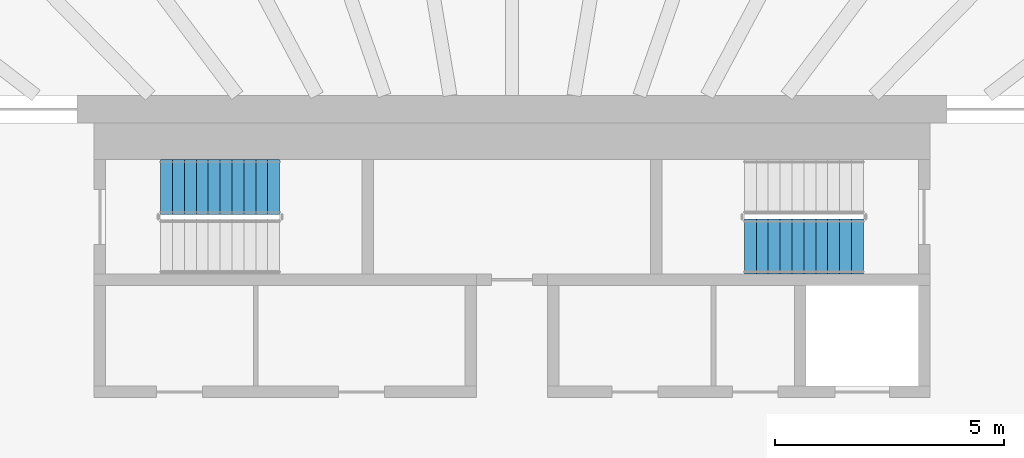
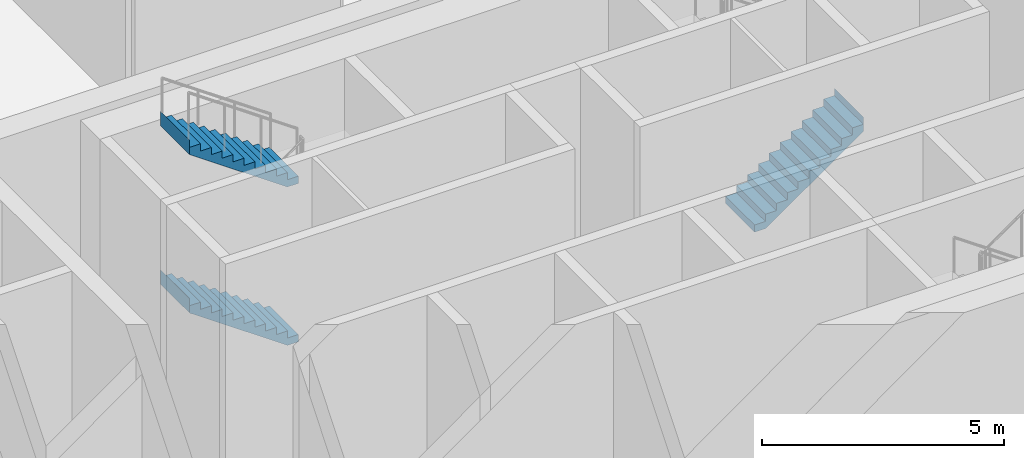
# One storey, part 27 of 36: 3 stair flights, 2 elements without a shape of their own.
"""IFC4 building model written with IfcOpenShell, lengths in metres."""

from ifc_helpers import new_model, si_unit, direction, frame, origin, place, context, subcontext, project, spatial, triangles, material, type_object, element, aggregate, save


model = new_model("IFC4")

# Units and contexts
model_context = context("Model", 3, precision=1e-05, world=origin(), true_north=direction((0.0, 1.0)))
body_context = subcontext(model_context, "Body", "Model", "MODEL_VIEW")
ifc_project = project(units=[si_unit("LENGTHUNIT", "METRE"), si_unit("AREAUNIT", "SQUARE_METRE"), si_unit("VOLUMEUNIT", "CUBIC_METRE"), si_unit("PLANEANGLEUNIT", "RADIAN"), si_unit("MASSUNIT", "GRAM", prefix="KILO")], contexts=[model_context])

# Site, building, storey
site_placement = place(None, origin())
site = spatial("IfcSite", under=ifc_project, at=site_placement, CompositionType="ELEMENT")
building_placement = place(site_placement, origin())
building = spatial("IfcBuilding", under=site, at=building_placement, Name="Sahrelin Media Tower", CompositionType="ELEMENT")
storey_placement = place(building_placement, origin())
storey = spatial("IfcBuildingStorey", under=building, at=storey_placement, Name="L00", CompositionType="ELEMENT", Elevation=0.0)

# Stair, stair flights
ifc_material = material(Name="Concrete C40/50", Category="concrete")
stair_type = type_object("IfcStairType", Name="Exit stair 1200", PredefinedType="HALF_TURN_STAIR", material=ifc_material)
placement = place(storey_placement, origin())
stair_1 = element("IfcStair", 1, at=placement, inside=storey, type_object=stair_type, Name="L00 Exit stair ST1", PredefinedType="HALF_TURN_STAIR")
stair_flight_type = type_object("IfcStairFlightType", Name="Stair flight 1200", PredefinedType="STRAIGHT", material=ifc_material)
stair_flight_1_placement = place(storey_placement, frame((-5.074951171875, 6.0, 2.0), z_axis=(0.0, 0.0, 1.0), x_axis=(-1.0, 0.0, 0.0)))
stair_flight_1 = element("IfcStairFlight", 2, at=stair_flight_1_placement, type_object=stair_flight_type, Name="ST1 flight 2", NumberOfRisers=11, NumberOfTreads=10, PredefinedType="STRAIGHT", RiserHeight=0.181818182, TreadLength=0.26, context=body_context, shape_type="Tessellation", body=[
    triangles([(0.261474609375, 0.60009765625, 0.0), (0.261474609375, 0.300048828125, 0.0), (0.261474609375, 0.0, 0.0), (0.261474609375, -0.300048828125, 0.0), (0.261474609375, -0.60009765625, 0.0), (2.60009765625, 0.60009765625, 1.63525390625), (2.60009765625, 0.300048828125, 1.63525390625), (2.60009765625, 0.0, 1.63525390625), (2.60009765625, -0.300048828125, 1.63525390625), (2.60009765625, -0.60009765625, 1.63525390625), (2.60009765625, 0.60009765625, 2.0), (2.60009765625, 0.300048828125, 2.0), (2.60009765625, 0.0, 2.0), (2.60009765625, -0.300048828125, 2.0), (2.60009765625, -0.60009765625, 2.0), (2.597900390625, 0.60009765625, 2.0), (2.597900390625, 0.300048828125, 2.0), (2.597900390625, 0.0, 2.0), (2.597900390625, -0.300048828125, 2.0), (2.597900390625, -0.60009765625, 2.0), (2.597900390625, 0.60009765625, 1.818115234375), (2.597900390625, 0.300048828125, 1.818115234375), (2.597900390625, 0.0, 1.818115234375), (2.597900390625, -0.300048828125, 1.818115234375), (2.597900390625, -0.60009765625, 1.818115234375), (2.340087890625, 0.60009765625, 1.818115234375), (2.340087890625, 0.300048828125, 1.818115234375), (2.340087890625, 0.0, 1.818115234375), (2.340087890625, -0.300048828125, 1.818115234375), (2.340087890625, -0.60009765625, 1.818115234375), (2.340087890625, 0.60009765625, 1.636474609375), (2.340087890625, 0.300048828125, 1.636474609375), (2.340087890625, 0.0, 1.636474609375), (2.340087890625, -0.300048828125, 1.636474609375), (2.340087890625, -0.60009765625, 1.636474609375), (2.080078125, 0.60009765625, 1.636474609375), (2.080078125, 0.300048828125, 1.636474609375), (2.080078125, 0.0, 1.636474609375), (2.080078125, -0.300048828125, 1.636474609375), (2.080078125, -0.60009765625, 1.636474609375), (2.080078125, 0.60009765625, 1.45458984375), (2.080078125, 0.300048828125, 1.45458984375), (2.080078125, 0.0, 1.45458984375), (2.080078125, -0.300048828125, 1.45458984375), (2.080078125, -0.60009765625, 1.45458984375), (1.820068359375, 0.60009765625, 1.45458984375), (1.820068359375, 0.300048828125, 1.45458984375), (1.820068359375, 0.0, 1.45458984375), (1.820068359375, -0.300048828125, 1.45458984375), (1.820068359375, -0.60009765625, 1.45458984375), (1.820068359375, 0.60009765625, 1.272705078125), (1.820068359375, 0.300048828125, 1.272705078125), (1.820068359375, 0.0, 1.272705078125), (1.820068359375, -0.300048828125, 1.272705078125), (1.820068359375, -0.60009765625, 1.272705078125), (1.56005859375, 0.60009765625, 1.272705078125), (1.56005859375, 0.300048828125, 1.272705078125), (1.56005859375, 0.0, 1.272705078125), (1.56005859375, -0.300048828125, 1.272705078125), (1.56005859375, -0.60009765625, 1.272705078125), (1.56005859375, 0.60009765625, 1.0908203125), (1.56005859375, 0.300048828125, 1.0908203125), (1.56005859375, 0.0, 1.0908203125), (1.56005859375, -0.300048828125, 1.0908203125), (1.56005859375, -0.60009765625, 1.0908203125), (1.300048828125, 0.60009765625, 1.0908203125), (1.300048828125, 0.300048828125, 1.0908203125), (1.300048828125, 0.0, 1.0908203125), (1.300048828125, -0.300048828125, 1.0908203125), (1.300048828125, -0.60009765625, 1.0908203125), (1.300048828125, 0.60009765625, 0.9091796875), (1.300048828125, 0.300048828125, 0.9091796875), (1.300048828125, 0.0, 0.9091796875), (1.300048828125, -0.300048828125, 0.9091796875), (1.300048828125, -0.60009765625, 0.9091796875), (1.0400390625, 0.60009765625, 0.9091796875), (1.0400390625, 0.300048828125, 0.9091796875), (1.0400390625, 0.0, 0.9091796875), (1.0400390625, -0.300048828125, 0.9091796875), (1.0400390625, -0.60009765625, 0.9091796875), (1.0400390625, 0.60009765625, 0.727294921875), (1.0400390625, 0.300048828125, 0.727294921875), (1.0400390625, 0.0, 0.727294921875), (1.0400390625, -0.300048828125, 0.727294921875), (1.0400390625, -0.60009765625, 0.727294921875), (0.780029296875, 0.60009765625, 0.727294921875), (0.780029296875, 0.300048828125, 0.727294921875), (0.780029296875, 0.0, 0.727294921875), (0.780029296875, -0.300048828125, 0.727294921875), (0.780029296875, -0.60009765625, 0.727294921875), (0.780029296875, 0.60009765625, 0.54541015625), (0.780029296875, 0.300048828125, 0.54541015625), (0.780029296875, 0.0, 0.54541015625), (0.780029296875, -0.300048828125, 0.54541015625), (0.780029296875, -0.60009765625, 0.54541015625), (0.52001953125, 0.60009765625, 0.54541015625), (0.52001953125, 0.300048828125, 0.54541015625), (0.52001953125, 0.0, 0.54541015625), (0.52001953125, -0.300048828125, 0.54541015625), (0.52001953125, -0.60009765625, 0.54541015625), (0.52001953125, 0.60009765625, 0.363525390625), (0.52001953125, 0.300048828125, 0.363525390625), (0.52001953125, 0.0, 0.363525390625), (0.52001953125, -0.300048828125, 0.363525390625), (0.52001953125, -0.60009765625, 0.363525390625), (0.260009765625, 0.60009765625, 0.363525390625), (0.260009765625, 0.300048828125, 0.363525390625), (0.260009765625, 0.0, 0.363525390625), (0.260009765625, -0.300048828125, 0.363525390625), (0.260009765625, -0.60009765625, 0.363525390625), (0.260009765625, 0.60009765625, 0.181884765625), (0.260009765625, 0.300048828125, 0.181884765625), (0.260009765625, 0.0, 0.181884765625), (0.260009765625, -0.300048828125, 0.181884765625), (0.260009765625, -0.60009765625, 0.181884765625), (0.0, 0.60009765625, 0.181884765625), (0.0, 0.300048828125, 0.181884765625), (0.0, 0.0, 0.181884765625), (0.0, -0.300048828125, 0.181884765625), (0.0, -0.60009765625, 0.181884765625), (0.0, 0.60009765625, 0.0), (0.0, 0.300048828125, 0.0), (0.0, 0.0, 0.0), (0.0, -0.300048828125, 0.0), (0.0, -0.60009765625, 0.0)], [[1, 6, 7], [1, 7, 2], [2, 7, 8], [2, 8, 3], [3, 8, 9], [3, 9, 4], [4, 9, 10], [4, 10, 5], [6, 11, 12], [6, 12, 7], [7, 12, 13], [7, 13, 8], [8, 13, 14], [8, 14, 9], [9, 14, 15], [9, 15, 10], [11, 16, 17], [11, 17, 12], [12, 17, 18], [12, 18, 13], [13, 18, 19], [13, 19, 14], [14, 19, 20], [14, 20, 15], [16, 21, 22], [16, 22, 17], [17, 22, 23], [17, 23, 18], [18, 23, 24], [18, 24, 19], [19, 24, 25], [19, 25, 20], [21, 26, 27], [21, 27, 22], [22, 27, 28], [22, 28, 23], [23, 28, 29], [23, 29, 24], [24, 29, 30], [24, 30, 25], [26, 31, 32], [26, 32, 27], [27, 32, 33], [27, 33, 28], [28, 33, 34], [28, 34, 29], [29, 34, 35], [29, 35, 30], [31, 36, 37], [31, 37, 32], [32, 37, 38], [32, 38, 33], [33, 38, 39], [33, 39, 34], [34, 39, 40], [34, 40, 35], [36, 41, 42], [36, 42, 37], [37, 42, 43], [37, 43, 38], [38, 43, 44], [38, 44, 39], [39, 44, 45], [39, 45, 40], [41, 46, 47], [41, 47, 42], [42, 47, 48], [42, 48, 43], [43, 48, 49], [43, 49, 44], [44, 49, 50], [44, 50, 45], [46, 51, 52], [46, 52, 47], [47, 52, 53], [47, 53, 48], [48, 53, 54], [48, 54, 49], [49, 54, 55], [49, 55, 50], [51, 56, 57], [51, 57, 52], [52, 57, 58], [52, 58, 53], [53, 58, 59], [53, 59, 54], [54, 59, 60], [54, 60, 55], [56, 61, 62], [56, 62, 57], [57, 62, 63], [57, 63, 58], [58, 63, 64], [58, 64, 59], [59, 64, 65], [59, 65, 60], [61, 66, 67], [61, 67, 62], [62, 67, 68], [62, 68, 63], [63, 68, 69], [63, 69, 64], [64, 69, 70], [64, 70, 65], [66, 71, 72], [66, 72, 67], [67, 72, 73], [67, 73, 68], [68, 73, 74], [68, 74, 69], [69, 74, 75], [69, 75, 70], [71, 76, 77], [71, 77, 72], [72, 77, 78], [72, 78, 73], [73, 78, 79], [73, 79, 74], [74, 79, 80], [74, 80, 75], [76, 81, 82], [76, 82, 77], [77, 82, 83], [77, 83, 78], [78, 83, 84], [78, 84, 79], [79, 84, 85], [79, 85, 80], [81, 86, 87], [81, 87, 82], [82, 87, 88], [82, 88, 83], [83, 88, 89], [83, 89, 84], [84, 89, 90], [84, 90, 85], [86, 91, 92], [86, 92, 87], [87, 92, 93], [87, 93, 88], [88, 93, 94], [88, 94, 89], [89, 94, 95], [89, 95, 90], [91, 96, 97], [91, 97, 92], [92, 97, 98], [92, 98, 93], [93, 98, 99], [93, 99, 94], [94, 99, 100], [94, 100, 95], [96, 101, 102], [96, 102, 97], [97, 102, 103], [97, 103, 98], [98, 103, 104], [98, 104, 99], [99, 104, 105], [99, 105, 100], [101, 106, 107], [101, 107, 102], [102, 107, 108], [102, 108, 103], [103, 108, 109], [103, 109, 104], [104, 109, 110], [104, 110, 105], [106, 111, 112], [106, 112, 107], [107, 112, 113], [107, 113, 108], [108, 113, 114], [108, 114, 109], [109, 114, 115], [109, 115, 110], [111, 116, 117], [111, 117, 112], [112, 117, 118], [112, 118, 113], [113, 118, 119], [113, 119, 114], [114, 119, 120], [114, 120, 115], [116, 121, 122], [116, 122, 117], [117, 122, 123], [117, 123, 118], [118, 123, 124], [118, 124, 119], [119, 124, 125], [119, 125, 120], [121, 1, 2], [121, 2, 122], [122, 2, 3], [122, 3, 123], [123, 3, 4], [123, 4, 124], [124, 4, 5], [124, 5, 125], [115, 120, 125], [111, 121, 116], [115, 105, 110], [111, 106, 101], [105, 95, 100], [101, 96, 91], [95, 85, 90], [91, 86, 81], [85, 75, 80], [81, 76, 71], [75, 65, 70], [71, 66, 61], [65, 55, 60], [61, 56, 51], [55, 45, 50], [51, 46, 41], [45, 35, 40], [41, 36, 31], [35, 25, 30], [31, 26, 21], [25, 15, 20], [21, 16, 11], [125, 5, 115], [121, 111, 1], [25, 10, 15], [21, 11, 6], [105, 115, 5], [101, 1, 111], [35, 10, 25], [31, 21, 6], [95, 105, 5], [91, 1, 101], [45, 10, 35], [41, 31, 6], [85, 95, 5], [81, 1, 91], [55, 10, 45], [51, 41, 6], [75, 85, 5], [71, 1, 81], [65, 10, 55], [61, 51, 6], [5, 10, 75], [1, 71, 6], [75, 10, 65], [71, 61, 6]], closed=True),
])
stair_flight_2_placement = place(storey_placement, frame((-5.074951171875, 6.0, 6.0), z_axis=(0.0, 0.0, 1.0), x_axis=(-1.0, 0.0, 0.0)))
stair_flight_2 = element("IfcStairFlight", 3, at=stair_flight_2_placement, type_object=stair_flight_type, Name="ST1 flight 4", NumberOfRisers=11, NumberOfTreads=10, PredefinedType="STRAIGHT", RiserHeight=0.181818182, TreadLength=0.26, context=body_context, shape_type="Tessellation", body=[
    triangles([(0.261474609375, 0.60009765625, 0.0), (0.261474609375, 0.300048828125, 0.0), (0.261474609375, 0.0, 0.0), (0.261474609375, -0.300048828125, 0.0), (0.261474609375, -0.60009765625, 0.0), (2.60009765625, 0.60009765625, 1.63525390625), (2.60009765625, 0.300048828125, 1.63525390625), (2.60009765625, 0.0, 1.63525390625), (2.60009765625, -0.300048828125, 1.63525390625), (2.60009765625, -0.60009765625, 1.63525390625), (2.60009765625, 0.60009765625, 2.0), (2.60009765625, 0.300048828125, 2.0), (2.60009765625, 0.0, 2.0), (2.60009765625, -0.300048828125, 2.0), (2.60009765625, -0.60009765625, 2.0), (2.597900390625, 0.60009765625, 2.0), (2.597900390625, 0.300048828125, 2.0), (2.597900390625, 0.0, 2.0), (2.597900390625, -0.300048828125, 2.0), (2.597900390625, -0.60009765625, 2.0), (2.597900390625, 0.60009765625, 1.818115234375), (2.597900390625, 0.300048828125, 1.818115234375), (2.597900390625, 0.0, 1.818115234375), (2.597900390625, -0.300048828125, 1.818115234375), (2.597900390625, -0.60009765625, 1.818115234375), (2.340087890625, 0.60009765625, 1.818115234375), (2.340087890625, 0.300048828125, 1.818115234375), (2.340087890625, 0.0, 1.818115234375), (2.340087890625, -0.300048828125, 1.818115234375), (2.340087890625, -0.60009765625, 1.818115234375), (2.340087890625, 0.60009765625, 1.636474609375), (2.340087890625, 0.300048828125, 1.636474609375), (2.340087890625, 0.0, 1.636474609375), (2.340087890625, -0.300048828125, 1.636474609375), (2.340087890625, -0.60009765625, 1.636474609375), (2.080078125, 0.60009765625, 1.636474609375), (2.080078125, 0.300048828125, 1.636474609375), (2.080078125, 0.0, 1.636474609375), (2.080078125, -0.300048828125, 1.636474609375), (2.080078125, -0.60009765625, 1.636474609375), (2.080078125, 0.60009765625, 1.45458984375), (2.080078125, 0.300048828125, 1.45458984375), (2.080078125, 0.0, 1.45458984375), (2.080078125, -0.300048828125, 1.45458984375), (2.080078125, -0.60009765625, 1.45458984375), (1.820068359375, 0.60009765625, 1.45458984375), (1.820068359375, 0.300048828125, 1.45458984375), (1.820068359375, 0.0, 1.45458984375), (1.820068359375, -0.300048828125, 1.45458984375), (1.820068359375, -0.60009765625, 1.45458984375), (1.820068359375, 0.60009765625, 1.272705078125), (1.820068359375, 0.300048828125, 1.272705078125), (1.820068359375, 0.0, 1.272705078125), (1.820068359375, -0.300048828125, 1.272705078125), (1.820068359375, -0.60009765625, 1.272705078125), (1.56005859375, 0.60009765625, 1.272705078125), (1.56005859375, 0.300048828125, 1.272705078125), (1.56005859375, 0.0, 1.272705078125), (1.56005859375, -0.300048828125, 1.272705078125), (1.56005859375, -0.60009765625, 1.272705078125), (1.56005859375, 0.60009765625, 1.0908203125), (1.56005859375, 0.300048828125, 1.0908203125), (1.56005859375, 0.0, 1.0908203125), (1.56005859375, -0.300048828125, 1.0908203125), (1.56005859375, -0.60009765625, 1.0908203125), (1.300048828125, 0.60009765625, 1.0908203125), (1.300048828125, 0.300048828125, 1.0908203125), (1.300048828125, 0.0, 1.0908203125), (1.300048828125, -0.300048828125, 1.0908203125), (1.300048828125, -0.60009765625, 1.0908203125), (1.300048828125, 0.60009765625, 0.9091796875), (1.300048828125, 0.300048828125, 0.9091796875), (1.300048828125, 0.0, 0.9091796875), (1.300048828125, -0.300048828125, 0.9091796875), (1.300048828125, -0.60009765625, 0.9091796875), (1.0400390625, 0.60009765625, 0.9091796875), (1.0400390625, 0.300048828125, 0.9091796875), (1.0400390625, 0.0, 0.9091796875), (1.0400390625, -0.300048828125, 0.9091796875), (1.0400390625, -0.60009765625, 0.9091796875), (1.0400390625, 0.60009765625, 0.727294921875), (1.0400390625, 0.300048828125, 0.727294921875), (1.0400390625, 0.0, 0.727294921875), (1.0400390625, -0.300048828125, 0.727294921875), (1.0400390625, -0.60009765625, 0.727294921875), (0.780029296875, 0.60009765625, 0.727294921875), (0.780029296875, 0.300048828125, 0.727294921875), (0.780029296875, 0.0, 0.727294921875), (0.780029296875, -0.300048828125, 0.727294921875), (0.780029296875, -0.60009765625, 0.727294921875), (0.780029296875, 0.60009765625, 0.54541015625), (0.780029296875, 0.300048828125, 0.54541015625), (0.780029296875, 0.0, 0.54541015625), (0.780029296875, -0.300048828125, 0.54541015625), (0.780029296875, -0.60009765625, 0.54541015625), (0.52001953125, 0.60009765625, 0.54541015625), (0.52001953125, 0.300048828125, 0.54541015625), (0.52001953125, 0.0, 0.54541015625), (0.52001953125, -0.300048828125, 0.54541015625), (0.52001953125, -0.60009765625, 0.54541015625), (0.52001953125, 0.60009765625, 0.363525390625), (0.52001953125, 0.300048828125, 0.363525390625), (0.52001953125, 0.0, 0.363525390625), (0.52001953125, -0.300048828125, 0.363525390625), (0.52001953125, -0.60009765625, 0.363525390625), (0.260009765625, 0.60009765625, 0.363525390625), (0.260009765625, 0.300048828125, 0.363525390625), (0.260009765625, 0.0, 0.363525390625), (0.260009765625, -0.300048828125, 0.363525390625), (0.260009765625, -0.60009765625, 0.363525390625), (0.260009765625, 0.60009765625, 0.181884765625), (0.260009765625, 0.300048828125, 0.181884765625), (0.260009765625, 0.0, 0.181884765625), (0.260009765625, -0.300048828125, 0.181884765625), (0.260009765625, -0.60009765625, 0.181884765625), (0.0, 0.60009765625, 0.181884765625), (0.0, 0.300048828125, 0.181884765625), (0.0, 0.0, 0.181884765625), (0.0, -0.300048828125, 0.181884765625), (0.0, -0.60009765625, 0.181884765625), (0.0, 0.60009765625, 0.0), (0.0, 0.300048828125, 0.0), (0.0, 0.0, 0.0), (0.0, -0.300048828125, 0.0), (0.0, -0.60009765625, 0.0)], [[1, 6, 7], [1, 7, 2], [2, 7, 8], [2, 8, 3], [3, 8, 9], [3, 9, 4], [4, 9, 10], [4, 10, 5], [6, 11, 12], [6, 12, 7], [7, 12, 13], [7, 13, 8], [8, 13, 14], [8, 14, 9], [9, 14, 15], [9, 15, 10], [11, 16, 17], [11, 17, 12], [12, 17, 18], [12, 18, 13], [13, 18, 19], [13, 19, 14], [14, 19, 20], [14, 20, 15], [16, 21, 22], [16, 22, 17], [17, 22, 23], [17, 23, 18], [18, 23, 24], [18, 24, 19], [19, 24, 25], [19, 25, 20], [21, 26, 27], [21, 27, 22], [22, 27, 28], [22, 28, 23], [23, 28, 29], [23, 29, 24], [24, 29, 30], [24, 30, 25], [26, 31, 32], [26, 32, 27], [27, 32, 33], [27, 33, 28], [28, 33, 34], [28, 34, 29], [29, 34, 35], [29, 35, 30], [31, 36, 37], [31, 37, 32], [32, 37, 38], [32, 38, 33], [33, 38, 39], [33, 39, 34], [34, 39, 40], [34, 40, 35], [36, 41, 42], [36, 42, 37], [37, 42, 43], [37, 43, 38], [38, 43, 44], [38, 44, 39], [39, 44, 45], [39, 45, 40], [41, 46, 47], [41, 47, 42], [42, 47, 48], [42, 48, 43], [43, 48, 49], [43, 49, 44], [44, 49, 50], [44, 50, 45], [46, 51, 52], [46, 52, 47], [47, 52, 53], [47, 53, 48], [48, 53, 54], [48, 54, 49], [49, 54, 55], [49, 55, 50], [51, 56, 57], [51, 57, 52], [52, 57, 58], [52, 58, 53], [53, 58, 59], [53, 59, 54], [54, 59, 60], [54, 60, 55], [56, 61, 62], [56, 62, 57], [57, 62, 63], [57, 63, 58], [58, 63, 64], [58, 64, 59], [59, 64, 65], [59, 65, 60], [61, 66, 67], [61, 67, 62], [62, 67, 68], [62, 68, 63], [63, 68, 69], [63, 69, 64], [64, 69, 70], [64, 70, 65], [66, 71, 72], [66, 72, 67], [67, 72, 73], [67, 73, 68], [68, 73, 74], [68, 74, 69], [69, 74, 75], [69, 75, 70], [71, 76, 77], [71, 77, 72], [72, 77, 78], [72, 78, 73], [73, 78, 79], [73, 79, 74], [74, 79, 80], [74, 80, 75], [76, 81, 82], [76, 82, 77], [77, 82, 83], [77, 83, 78], [78, 83, 84], [78, 84, 79], [79, 84, 85], [79, 85, 80], [81, 86, 87], [81, 87, 82], [82, 87, 88], [82, 88, 83], [83, 88, 89], [83, 89, 84], [84, 89, 90], [84, 90, 85], [86, 91, 92], [86, 92, 87], [87, 92, 93], [87, 93, 88], [88, 93, 94], [88, 94, 89], [89, 94, 95], [89, 95, 90], [91, 96, 97], [91, 97, 92], [92, 97, 98], [92, 98, 93], [93, 98, 99], [93, 99, 94], [94, 99, 100], [94, 100, 95], [96, 101, 102], [96, 102, 97], [97, 102, 103], [97, 103, 98], [98, 103, 104], [98, 104, 99], [99, 104, 105], [99, 105, 100], [101, 106, 107], [101, 107, 102], [102, 107, 108], [102, 108, 103], [103, 108, 109], [103, 109, 104], [104, 109, 110], [104, 110, 105], [106, 111, 112], [106, 112, 107], [107, 112, 113], [107, 113, 108], [108, 113, 114], [108, 114, 109], [109, 114, 115], [109, 115, 110], [111, 116, 117], [111, 117, 112], [112, 117, 118], [112, 118, 113], [113, 118, 119], [113, 119, 114], [114, 119, 120], [114, 120, 115], [116, 121, 122], [116, 122, 117], [117, 122, 123], [117, 123, 118], [118, 123, 124], [118, 124, 119], [119, 124, 125], [119, 125, 120], [121, 1, 2], [121, 2, 122], [122, 2, 3], [122, 3, 123], [123, 3, 4], [123, 4, 124], [124, 4, 5], [124, 5, 125], [115, 120, 125], [111, 121, 116], [115, 105, 110], [111, 106, 101], [105, 95, 100], [101, 96, 91], [95, 85, 90], [91, 86, 81], [85, 75, 80], [81, 76, 71], [75, 65, 70], [71, 66, 61], [65, 55, 60], [61, 56, 51], [55, 45, 50], [51, 46, 41], [45, 35, 40], [41, 36, 31], [35, 25, 30], [31, 26, 21], [25, 15, 20], [21, 16, 11], [125, 5, 115], [121, 111, 1], [25, 10, 15], [21, 11, 6], [105, 115, 5], [101, 1, 111], [35, 10, 25], [31, 21, 6], [95, 105, 5], [91, 1, 101], [45, 10, 35], [41, 31, 6], [85, 95, 5], [81, 1, 91], [55, 10, 45], [51, 41, 6], [75, 85, 5], [71, 1, 81], [65, 10, 55], [61, 51, 6], [5, 10, 75], [1, 71, 6], [75, 10, 65], [71, 61, 6]], closed=True),
])
aggregate(stair_1, [stair_flight_1, stair_flight_2])

# Stair, stair flight
stair_2 = element("IfcStair", 4, at=placement, inside=storey, type_object=stair_type, Name="L00 Exit stair ST3", PredefinedType="HALF_TURN_STAIR")
stair_flight_3_placement = place(storey_placement, frame((5.074951171875, 4.699951171875, 2.0), z_axis=(0.0, 0.0, 1.0), x_axis=(1.0, 0.0, 0.0)))
stair_flight_3 = element("IfcStairFlight", 5, at=stair_flight_3_placement, type_object=stair_flight_type, Name="ST3 flight 2", NumberOfRisers=11, NumberOfTreads=10, PredefinedType="STRAIGHT", RiserHeight=0.181818182, TreadLength=0.26, context=body_context, shape_type="Tessellation", body=[
    triangles([(0.261474609375, 0.60009765625, 0.0), (0.261474609375, 0.300048828125, 0.0), (0.261474609375, 0.0, 0.0), (0.261474609375, -0.300048828125, 0.0), (0.261474609375, -0.60009765625, 0.0), (2.60009765625, 0.60009765625, 1.63525390625), (2.60009765625, 0.300048828125, 1.63525390625), (2.60009765625, 0.0, 1.63525390625), (2.60009765625, -0.300048828125, 1.63525390625), (2.60009765625, -0.60009765625, 1.63525390625), (2.60009765625, 0.60009765625, 2.0), (2.60009765625, 0.300048828125, 2.0), (2.60009765625, 0.0, 2.0), (2.60009765625, -0.300048828125, 2.0), (2.60009765625, -0.60009765625, 2.0), (2.597900390625, 0.60009765625, 2.0), (2.597900390625, 0.300048828125, 2.0), (2.597900390625, 0.0, 2.0), (2.597900390625, -0.300048828125, 2.0), (2.597900390625, -0.60009765625, 2.0), (2.597900390625, 0.60009765625, 1.818115234375), (2.597900390625, 0.300048828125, 1.818115234375), (2.597900390625, 0.0, 1.818115234375), (2.597900390625, -0.300048828125, 1.818115234375), (2.597900390625, -0.60009765625, 1.818115234375), (2.340087890625, 0.60009765625, 1.818115234375), (2.340087890625, 0.300048828125, 1.818115234375), (2.340087890625, 0.0, 1.818115234375), (2.340087890625, -0.300048828125, 1.818115234375), (2.340087890625, -0.60009765625, 1.818115234375), (2.340087890625, 0.60009765625, 1.636474609375), (2.340087890625, 0.300048828125, 1.636474609375), (2.340087890625, 0.0, 1.636474609375), (2.340087890625, -0.300048828125, 1.636474609375), (2.340087890625, -0.60009765625, 1.636474609375), (2.080078125, 0.60009765625, 1.636474609375), (2.080078125, 0.300048828125, 1.636474609375), (2.080078125, 0.0, 1.636474609375), (2.080078125, -0.300048828125, 1.636474609375), (2.080078125, -0.60009765625, 1.636474609375), (2.080078125, 0.60009765625, 1.45458984375), (2.080078125, 0.300048828125, 1.45458984375), (2.080078125, 0.0, 1.45458984375), (2.080078125, -0.300048828125, 1.45458984375), (2.080078125, -0.60009765625, 1.45458984375), (1.820068359375, 0.60009765625, 1.45458984375), (1.820068359375, 0.300048828125, 1.45458984375), (1.820068359375, 0.0, 1.45458984375), (1.820068359375, -0.300048828125, 1.45458984375), (1.820068359375, -0.60009765625, 1.45458984375), (1.820068359375, 0.60009765625, 1.272705078125), (1.820068359375, 0.300048828125, 1.272705078125), (1.820068359375, 0.0, 1.272705078125), (1.820068359375, -0.300048828125, 1.272705078125), (1.820068359375, -0.60009765625, 1.272705078125), (1.56005859375, 0.60009765625, 1.272705078125), (1.56005859375, 0.300048828125, 1.272705078125), (1.56005859375, 0.0, 1.272705078125), (1.56005859375, -0.300048828125, 1.272705078125), (1.56005859375, -0.60009765625, 1.272705078125), (1.56005859375, 0.60009765625, 1.0908203125), (1.56005859375, 0.300048828125, 1.0908203125), (1.56005859375, 0.0, 1.0908203125), (1.56005859375, -0.300048828125, 1.0908203125), (1.56005859375, -0.60009765625, 1.0908203125), (1.300048828125, 0.60009765625, 1.0908203125), (1.300048828125, 0.300048828125, 1.0908203125), (1.300048828125, 0.0, 1.0908203125), (1.300048828125, -0.300048828125, 1.0908203125), (1.300048828125, -0.60009765625, 1.0908203125), (1.300048828125, 0.60009765625, 0.9091796875), (1.300048828125, 0.300048828125, 0.9091796875), (1.300048828125, 0.0, 0.9091796875), (1.300048828125, -0.300048828125, 0.9091796875), (1.300048828125, -0.60009765625, 0.9091796875), (1.0400390625, 0.60009765625, 0.9091796875), (1.0400390625, 0.300048828125, 0.9091796875), (1.0400390625, 0.0, 0.9091796875), (1.0400390625, -0.300048828125, 0.9091796875), (1.0400390625, -0.60009765625, 0.9091796875), (1.0400390625, 0.60009765625, 0.727294921875), (1.0400390625, 0.300048828125, 0.727294921875), (1.0400390625, 0.0, 0.727294921875), (1.0400390625, -0.300048828125, 0.727294921875), (1.0400390625, -0.60009765625, 0.727294921875), (0.780029296875, 0.60009765625, 0.727294921875), (0.780029296875, 0.300048828125, 0.727294921875), (0.780029296875, 0.0, 0.727294921875), (0.780029296875, -0.300048828125, 0.727294921875), (0.780029296875, -0.60009765625, 0.727294921875), (0.780029296875, 0.60009765625, 0.54541015625), (0.780029296875, 0.300048828125, 0.54541015625), (0.780029296875, 0.0, 0.54541015625), (0.780029296875, -0.300048828125, 0.54541015625), (0.780029296875, -0.60009765625, 0.54541015625), (0.52001953125, 0.60009765625, 0.54541015625), (0.52001953125, 0.300048828125, 0.54541015625), (0.52001953125, 0.0, 0.54541015625), (0.52001953125, -0.300048828125, 0.54541015625), (0.52001953125, -0.60009765625, 0.54541015625), (0.52001953125, 0.60009765625, 0.363525390625), (0.52001953125, 0.300048828125, 0.363525390625), (0.52001953125, 0.0, 0.363525390625), (0.52001953125, -0.300048828125, 0.363525390625), (0.52001953125, -0.60009765625, 0.363525390625), (0.260009765625, 0.60009765625, 0.363525390625), (0.260009765625, 0.300048828125, 0.363525390625), (0.260009765625, 0.0, 0.363525390625), (0.260009765625, -0.300048828125, 0.363525390625), (0.260009765625, -0.60009765625, 0.363525390625), (0.260009765625, 0.60009765625, 0.181884765625), (0.260009765625, 0.300048828125, 0.181884765625), (0.260009765625, 0.0, 0.181884765625), (0.260009765625, -0.300048828125, 0.181884765625), (0.260009765625, -0.60009765625, 0.181884765625), (0.0, 0.60009765625, 0.181884765625), (0.0, 0.300048828125, 0.181884765625), (0.0, 0.0, 0.181884765625), (0.0, -0.300048828125, 0.181884765625), (0.0, -0.60009765625, 0.181884765625), (0.0, 0.60009765625, 0.0), (0.0, 0.300048828125, 0.0), (0.0, 0.0, 0.0), (0.0, -0.300048828125, 0.0), (0.0, -0.60009765625, 0.0)], [[1, 6, 7], [1, 7, 2], [2, 7, 8], [2, 8, 3], [3, 8, 9], [3, 9, 4], [4, 9, 10], [4, 10, 5], [6, 11, 12], [6, 12, 7], [7, 12, 13], [7, 13, 8], [8, 13, 14], [8, 14, 9], [9, 14, 15], [9, 15, 10], [11, 16, 17], [11, 17, 12], [12, 17, 18], [12, 18, 13], [13, 18, 19], [13, 19, 14], [14, 19, 20], [14, 20, 15], [16, 21, 22], [16, 22, 17], [17, 22, 23], [17, 23, 18], [18, 23, 24], [18, 24, 19], [19, 24, 25], [19, 25, 20], [21, 26, 27], [21, 27, 22], [22, 27, 28], [22, 28, 23], [23, 28, 29], [23, 29, 24], [24, 29, 30], [24, 30, 25], [26, 31, 32], [26, 32, 27], [27, 32, 33], [27, 33, 28], [28, 33, 34], [28, 34, 29], [29, 34, 35], [29, 35, 30], [31, 36, 37], [31, 37, 32], [32, 37, 38], [32, 38, 33], [33, 38, 39], [33, 39, 34], [34, 39, 40], [34, 40, 35], [36, 41, 42], [36, 42, 37], [37, 42, 43], [37, 43, 38], [38, 43, 44], [38, 44, 39], [39, 44, 45], [39, 45, 40], [41, 46, 47], [41, 47, 42], [42, 47, 48], [42, 48, 43], [43, 48, 49], [43, 49, 44], [44, 49, 50], [44, 50, 45], [46, 51, 52], [46, 52, 47], [47, 52, 53], [47, 53, 48], [48, 53, 54], [48, 54, 49], [49, 54, 55], [49, 55, 50], [51, 56, 57], [51, 57, 52], [52, 57, 58], [52, 58, 53], [53, 58, 59], [53, 59, 54], [54, 59, 60], [54, 60, 55], [56, 61, 62], [56, 62, 57], [57, 62, 63], [57, 63, 58], [58, 63, 64], [58, 64, 59], [59, 64, 65], [59, 65, 60], [61, 66, 67], [61, 67, 62], [62, 67, 68], [62, 68, 63], [63, 68, 69], [63, 69, 64], [64, 69, 70], [64, 70, 65], [66, 71, 72], [66, 72, 67], [67, 72, 73], [67, 73, 68], [68, 73, 74], [68, 74, 69], [69, 74, 75], [69, 75, 70], [71, 76, 77], [71, 77, 72], [72, 77, 78], [72, 78, 73], [73, 78, 79], [73, 79, 74], [74, 79, 80], [74, 80, 75], [76, 81, 82], [76, 82, 77], [77, 82, 83], [77, 83, 78], [78, 83, 84], [78, 84, 79], [79, 84, 85], [79, 85, 80], [81, 86, 87], [81, 87, 82], [82, 87, 88], [82, 88, 83], [83, 88, 89], [83, 89, 84], [84, 89, 90], [84, 90, 85], [86, 91, 92], [86, 92, 87], [87, 92, 93], [87, 93, 88], [88, 93, 94], [88, 94, 89], [89, 94, 95], [89, 95, 90], [91, 96, 97], [91, 97, 92], [92, 97, 98], [92, 98, 93], [93, 98, 99], [93, 99, 94], [94, 99, 100], [94, 100, 95], [96, 101, 102], [96, 102, 97], [97, 102, 103], [97, 103, 98], [98, 103, 104], [98, 104, 99], [99, 104, 105], [99, 105, 100], [101, 106, 107], [101, 107, 102], [102, 107, 108], [102, 108, 103], [103, 108, 109], [103, 109, 104], [104, 109, 110], [104, 110, 105], [106, 111, 112], [106, 112, 107], [107, 112, 113], [107, 113, 108], [108, 113, 114], [108, 114, 109], [109, 114, 115], [109, 115, 110], [111, 116, 117], [111, 117, 112], [112, 117, 118], [112, 118, 113], [113, 118, 119], [113, 119, 114], [114, 119, 120], [114, 120, 115], [116, 121, 122], [116, 122, 117], [117, 122, 123], [117, 123, 118], [118, 123, 124], [118, 124, 119], [119, 124, 125], [119, 125, 120], [121, 1, 2], [121, 2, 122], [122, 2, 3], [122, 3, 123], [123, 3, 4], [123, 4, 124], [124, 4, 5], [124, 5, 125], [115, 120, 125], [111, 121, 116], [115, 105, 110], [111, 106, 101], [105, 95, 100], [101, 96, 91], [95, 85, 90], [91, 86, 81], [85, 75, 80], [81, 76, 71], [75, 65, 70], [71, 66, 61], [65, 55, 60], [61, 56, 51], [55, 45, 50], [51, 46, 41], [45, 35, 40], [41, 36, 31], [35, 25, 30], [31, 26, 21], [25, 15, 20], [21, 16, 11], [125, 5, 115], [121, 111, 1], [25, 10, 15], [21, 11, 6], [105, 115, 5], [101, 1, 111], [35, 10, 25], [31, 21, 6], [95, 105, 5], [91, 1, 101], [45, 10, 35], [41, 31, 6], [85, 95, 5], [81, 1, 91], [55, 10, 45], [51, 41, 6], [75, 85, 5], [71, 1, 81], [65, 10, 55], [61, 51, 6], [5, 10, 75], [1, 71, 6], [75, 10, 65], [71, 61, 6]], closed=True),
])
aggregate(stair_2, [stair_flight_3])

save(model, "model.ifc")
